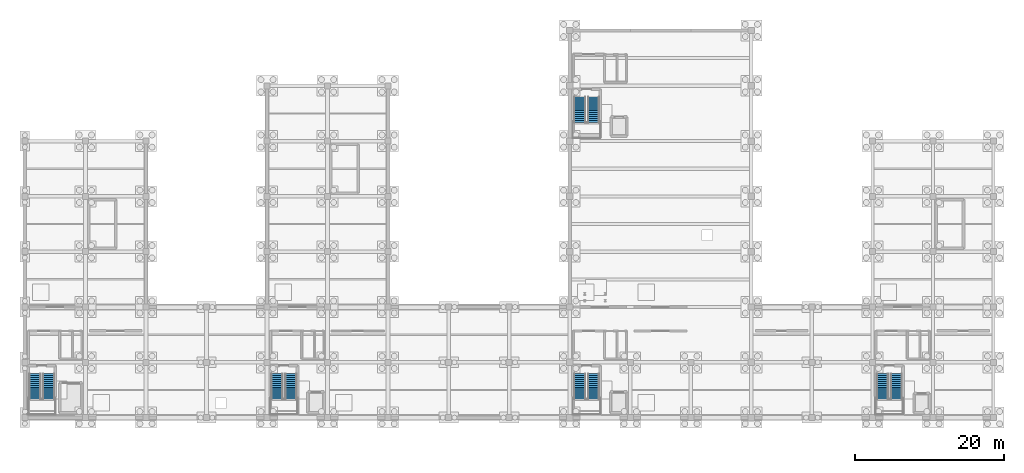
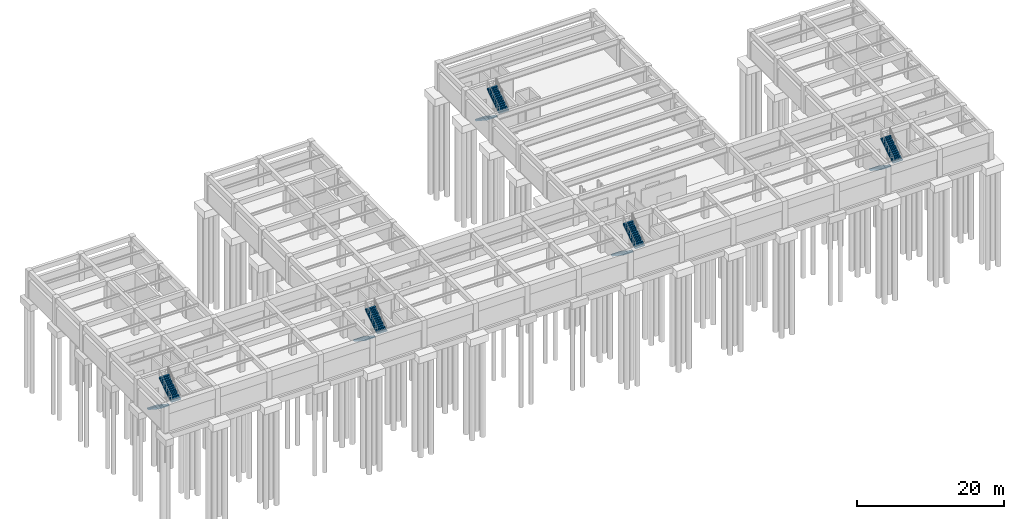
# One storey, part 11 of 14: 10 stair flights, 5 elements without a shape of their own.
"""IFC4 building model written with IfcOpenShell, lengths in metres."""

from ifc_helpers import new_model, si_unit, direction, frame, origin, place, context, subcontext, project, spatial, polyline, outline, extrude, material, type_object, element, aggregate, save


model = new_model("IFC4")

# Units and contexts
model_context = context("Model", 3, precision=1e-05, world=origin(), true_north=direction((0.0, 1.0)))
body_context = subcontext(model_context, "Body", "Model", "MODEL_VIEW")
ifc_project = project(units=[si_unit("LENGTHUNIT", "METRE"), si_unit("AREAUNIT", "SQUARE_METRE"), si_unit("VOLUMEUNIT", "CUBIC_METRE"), si_unit("PLANEANGLEUNIT", "RADIAN"), si_unit("MASSUNIT", "GRAM", prefix="KILO")], contexts=[model_context])

# Site, building, storey
site_placement = place(None, origin())
site = spatial("IfcSite", under=ifc_project, at=site_placement, CompositionType="ELEMENT")
building_placement = place(site_placement, origin())
building = spatial("IfcBuilding", under=site, at=building_placement, Name="Cimatlan Art Gallery", CompositionType="ELEMENT")
storey_placement = place(building_placement, frame((0.0, 0.0, -4.800048828125)))
storey = spatial("IfcBuildingStorey", under=building, at=storey_placement, Name="B1", CompositionType="ELEMENT", Elevation=-4.800048828125)

# Stair, stair flights
ifc_material = material(Name="Concrete C35/45", Category="concrete")
stair_type = type_object("IfcStairType", Name="STR-HALF-155-480", PredefinedType="HALF_TURN_STAIR", material=ifc_material)
stair_1_placement = place(storey_placement, origin())
stair_1 = element("IfcStair", 1, at=stair_1_placement, inside=storey, type_object=stair_type, Name="STR-C1-B1", PredefinedType="HALF_TURN_STAIR")
stair_flight_type = type_object("IfcStairFlightType", Name="STF-155-14R-260", PredefinedType="STRAIGHT", material=ifc_material)
stair_flight_1_placement = place(storey_placement, frame((3.3349609375, 29.780029296875, 0.0), z_axis=(0.0, 0.0, 1.0), x_axis=(0.0, -1.0, 0.0)))
stair_flight_1 = element("IfcStairFlight", 2, at=stair_flight_1_placement, type_object=stair_flight_type, Name="STR-C1-B1-F1", NumberOfRisers=14, NumberOfTreads=13, PredefinedType="STRAIGHT", RiserHeight=0.171429, TreadLength=0.26, context=body_context, shape_type="SweptSolid", body=[
    extrude(outline(polyline([(0.0, 0.0), (0.0, 0.17138671875), (0.260009765625, 0.17138671875), (0.260009765625, 0.3427734375), (0.52001953125, 0.3427734375), (0.52001953125, 0.514404296875), (0.780029296875, 0.514404296875), (0.780029296875, 0.685791015625), (1.0400390625, 0.685791015625), (1.0400390625, 0.857177734375), (1.300048828125, 0.857177734375), (1.300048828125, 1.028564453125), (1.56005859375, 1.028564453125), (1.56005859375, 1.199951171875), (1.820068359375, 1.199951171875), (1.820068359375, 1.371337890625), (2.080078125, 1.371337890625), (2.080078125, 1.54296875), (2.340087890625, 1.54296875), (2.340087890625, 1.71435546875), (2.60009765625, 1.71435546875), (2.60009765625, 1.8857421875), (2.860107421875, 1.8857421875), (2.860107421875, 2.05712890625), (3.1201171875, 2.05712890625), (3.1201171875, 2.228515625), (3.3798828125, 2.228515625), (3.3798828125, 2.39990234375), (3.3798828125, 2.012939453125), (0.326904296875, 0.0), (0.0, 0.0)])), frame((0.0, 0.77490234375, 0.0), z_axis=(0.0, -1.0, 0.0), x_axis=(1.0, 0.0, 0.0)), (0.0, 0.0, 1.0), 1.550048828125),
])
stair_flight_2_placement = place(storey_placement, frame((5.205078125, 26.39990234375, 2.400146484375), z_axis=(0.0, 0.0, 1.0), x_axis=(0.0, 1.0, 0.0)))
stair_flight_2 = element("IfcStairFlight", 3, at=stair_flight_2_placement, type_object=stair_flight_type, Name="STR-C1-B1-F2", NumberOfRisers=14, NumberOfTreads=13, PredefinedType="STRAIGHT", RiserHeight=0.171429, TreadLength=0.26, context=body_context, shape_type="SweptSolid", body=[
    extrude(outline(polyline([(0.0, 0.0), (0.0, 0.17138671875), (0.260009765625, 0.17138671875), (0.260009765625, 0.3427734375), (0.52001953125, 0.3427734375), (0.52001953125, 0.514404296875), (0.780029296875, 0.514404296875), (0.780029296875, 0.685791015625), (1.0400390625, 0.685791015625), (1.0400390625, 0.857177734375), (1.300048828125, 0.857177734375), (1.300048828125, 1.028564453125), (1.56005859375, 1.028564453125), (1.56005859375, 1.199951171875), (1.820068359375, 1.199951171875), (1.820068359375, 1.371337890625), (2.080078125, 1.371337890625), (2.080078125, 1.54296875), (2.340087890625, 1.54296875), (2.340087890625, 1.71435546875), (2.60009765625, 1.71435546875), (2.60009765625, 1.8857421875), (2.860107421875, 1.8857421875), (2.860107421875, 2.05712890625), (3.1201171875, 2.05712890625), (3.1201171875, 2.228515625), (3.3798828125, 2.228515625), (3.3798828125, 2.39990234375), (3.3798828125, 2.012939453125), (0.326904296875, 0.0), (0.0, 0.0)])), frame((0.0, 0.77490234375, 0.0), z_axis=(0.0, -1.0, 0.0), x_axis=(1.0, 0.0, 0.0)), (0.0, 0.0, 1.0), 1.550048828125),
])
aggregate(stair_1, [stair_flight_1, stair_flight_2])

stair_2_placement = place(storey_placement, origin())
stair_2 = element("IfcStair", 4, at=stair_2_placement, inside=storey, type_object=stair_type, Name="STR-C2-B1", PredefinedType="HALF_TURN_STAIR")
stair_flight_3_placement = place(storey_placement, frame((35.735107421875, 29.780029296875, 0.0), z_axis=(0.0, 0.0, 1.0), x_axis=(0.0, -1.0, 0.0)))
stair_flight_3 = element("IfcStairFlight", 5, at=stair_flight_3_placement, type_object=stair_flight_type, Name="STR-C2-B1-F1", NumberOfRisers=14, NumberOfTreads=13, PredefinedType="STRAIGHT", RiserHeight=0.171429, TreadLength=0.26, context=body_context, shape_type="SweptSolid", body=[
    extrude(outline(polyline([(0.0, 0.0), (0.0, 0.17138671875), (0.260009765625, 0.17138671875), (0.260009765625, 0.3427734375), (0.52001953125, 0.3427734375), (0.52001953125, 0.514404296875), (0.780029296875, 0.514404296875), (0.780029296875, 0.685791015625), (1.0400390625, 0.685791015625), (1.0400390625, 0.857177734375), (1.300048828125, 0.857177734375), (1.300048828125, 1.028564453125), (1.56005859375, 1.028564453125), (1.56005859375, 1.199951171875), (1.820068359375, 1.199951171875), (1.820068359375, 1.371337890625), (2.080078125, 1.371337890625), (2.080078125, 1.54296875), (2.340087890625, 1.54296875), (2.340087890625, 1.71435546875), (2.60009765625, 1.71435546875), (2.60009765625, 1.8857421875), (2.860107421875, 1.8857421875), (2.860107421875, 2.05712890625), (3.1201171875, 2.05712890625), (3.1201171875, 2.228515625), (3.3798828125, 2.228515625), (3.3798828125, 2.39990234375), (3.3798828125, 2.012939453125), (0.326904296875, 0.0), (0.0, 0.0)])), frame((0.0, 0.77490234375, 0.0), z_axis=(0.0, -1.0, 0.0), x_axis=(1.0, 0.0, 0.0)), (0.0, 0.0, 1.0), 1.550048828125),
])
stair_flight_4_placement = place(storey_placement, frame((37.60498046875, 26.39990234375, 2.400146484375), z_axis=(0.0, 0.0, 1.0), x_axis=(0.0, 1.0, 0.0)))
stair_flight_4 = element("IfcStairFlight", 6, at=stair_flight_4_placement, type_object=stair_flight_type, Name="STR-C2-B1-F2", NumberOfRisers=14, NumberOfTreads=13, PredefinedType="STRAIGHT", RiserHeight=0.171429, TreadLength=0.26, context=body_context, shape_type="SweptSolid", body=[
    extrude(outline(polyline([(0.0, 0.0), (0.0, 0.17138671875), (0.260009765625, 0.17138671875), (0.260009765625, 0.3427734375), (0.52001953125, 0.3427734375), (0.52001953125, 0.514404296875), (0.780029296875, 0.514404296875), (0.780029296875, 0.685791015625), (1.0400390625, 0.685791015625), (1.0400390625, 0.857177734375), (1.300048828125, 0.857177734375), (1.300048828125, 1.028564453125), (1.56005859375, 1.028564453125), (1.56005859375, 1.199951171875), (1.820068359375, 1.199951171875), (1.820068359375, 1.371337890625), (2.080078125, 1.371337890625), (2.080078125, 1.54296875), (2.340087890625, 1.54296875), (2.340087890625, 1.71435546875), (2.60009765625, 1.71435546875), (2.60009765625, 1.8857421875), (2.860107421875, 1.8857421875), (2.860107421875, 2.05712890625), (3.1201171875, 2.05712890625), (3.1201171875, 2.228515625), (3.3798828125, 2.228515625), (3.3798828125, 2.39990234375), (3.3798828125, 2.012939453125), (0.326904296875, 0.0), (0.0, 0.0)])), frame((0.0, 0.77490234375, 0.0), z_axis=(0.0, -1.0, 0.0), x_axis=(1.0, 0.0, 0.0)), (0.0, 0.0, 1.0), 1.550048828125),
])
aggregate(stair_2, [stair_flight_3, stair_flight_4])

stair_3_placement = place(storey_placement, origin())
stair_3 = element("IfcStair", 7, at=stair_3_placement, inside=storey, type_object=stair_type, Name="STR-C3-B1", PredefinedType="HALF_TURN_STAIR")
stair_flight_5_placement = place(storey_placement, frame((76.235107421875, 29.780029296875, 0.0), z_axis=(0.0, 0.0, 1.0), x_axis=(0.0, -1.0, 0.0)))
stair_flight_5 = element("IfcStairFlight", 8, at=stair_flight_5_placement, type_object=stair_flight_type, Name="STR-C3-B1-F1", NumberOfRisers=14, NumberOfTreads=13, PredefinedType="STRAIGHT", RiserHeight=0.171429, TreadLength=0.26, context=body_context, shape_type="SweptSolid", body=[
    extrude(outline(polyline([(0.0, 0.0), (0.0, 0.17138671875), (0.260009765625, 0.17138671875), (0.260009765625, 0.3427734375), (0.52001953125, 0.3427734375), (0.52001953125, 0.514404296875), (0.780029296875, 0.514404296875), (0.780029296875, 0.685791015625), (1.0400390625, 0.685791015625), (1.0400390625, 0.857177734375), (1.300048828125, 0.857177734375), (1.300048828125, 1.028564453125), (1.56005859375, 1.028564453125), (1.56005859375, 1.199951171875), (1.820068359375, 1.199951171875), (1.820068359375, 1.371337890625), (2.080078125, 1.371337890625), (2.080078125, 1.54296875), (2.340087890625, 1.54296875), (2.340087890625, 1.71435546875), (2.60009765625, 1.71435546875), (2.60009765625, 1.8857421875), (2.860107421875, 1.8857421875), (2.860107421875, 2.05712890625), (3.1201171875, 2.05712890625), (3.1201171875, 2.228515625), (3.3798828125, 2.228515625), (3.3798828125, 2.39990234375), (3.3798828125, 2.012939453125), (0.326904296875, 0.0), (0.0, 0.0)])), frame((0.0, 0.77490234375, 0.0), z_axis=(0.0, -1.0, 0.0), x_axis=(1.0, 0.0, 0.0)), (0.0, 0.0, 1.0), 1.550048828125),
])
stair_flight_6_placement = place(storey_placement, frame((78.10498046875, 26.39990234375, 2.400146484375), z_axis=(0.0, 0.0, 1.0), x_axis=(0.0, 1.0, 0.0)))
stair_flight_6 = element("IfcStairFlight", 9, at=stair_flight_6_placement, type_object=stair_flight_type, Name="STR-C3-B1-F2", NumberOfRisers=14, NumberOfTreads=13, PredefinedType="STRAIGHT", RiserHeight=0.171429, TreadLength=0.26, context=body_context, shape_type="SweptSolid", body=[
    extrude(outline(polyline([(0.0, 0.0), (0.0, 0.17138671875), (0.260009765625, 0.17138671875), (0.260009765625, 0.3427734375), (0.52001953125, 0.3427734375), (0.52001953125, 0.514404296875), (0.780029296875, 0.514404296875), (0.780029296875, 0.685791015625), (1.0400390625, 0.685791015625), (1.0400390625, 0.857177734375), (1.300048828125, 0.857177734375), (1.300048828125, 1.028564453125), (1.56005859375, 1.028564453125), (1.56005859375, 1.199951171875), (1.820068359375, 1.199951171875), (1.820068359375, 1.371337890625), (2.080078125, 1.371337890625), (2.080078125, 1.54296875), (2.340087890625, 1.54296875), (2.340087890625, 1.71435546875), (2.60009765625, 1.71435546875), (2.60009765625, 1.8857421875), (2.860107421875, 1.8857421875), (2.860107421875, 2.05712890625), (3.1201171875, 2.05712890625), (3.1201171875, 2.228515625), (3.3798828125, 2.228515625), (3.3798828125, 2.39990234375), (3.3798828125, 2.012939453125), (0.326904296875, 0.0), (0.0, 0.0)])), frame((0.0, 0.77490234375, 0.0), z_axis=(0.0, -1.0, 0.0), x_axis=(1.0, 0.0, 0.0)), (0.0, 0.0, 1.0), 1.550048828125),
])
aggregate(stair_3, [stair_flight_5, stair_flight_6])

stair_4_placement = place(storey_placement, origin())
stair_4 = element("IfcStair", 10, at=stair_4_placement, inside=storey, type_object=stair_type, Name="STR-C4-B1", PredefinedType="HALF_TURN_STAIR")
stair_flight_7_placement = place(storey_placement, frame((116.735107421875, 29.780029296875, 0.0), z_axis=(0.0, 0.0, 1.0), x_axis=(0.0, -1.0, 0.0)))
stair_flight_7 = element("IfcStairFlight", 11, at=stair_flight_7_placement, type_object=stair_flight_type, Name="STR-C4-B1-F1", NumberOfRisers=14, NumberOfTreads=13, PredefinedType="STRAIGHT", RiserHeight=0.171429, TreadLength=0.26, context=body_context, shape_type="SweptSolid", body=[
    extrude(outline(polyline([(0.0, 0.0), (0.0, 0.17138671875), (0.260009765625, 0.17138671875), (0.260009765625, 0.3427734375), (0.52001953125, 0.3427734375), (0.52001953125, 0.514404296875), (0.780029296875, 0.514404296875), (0.780029296875, 0.685791015625), (1.0400390625, 0.685791015625), (1.0400390625, 0.857177734375), (1.300048828125, 0.857177734375), (1.300048828125, 1.028564453125), (1.56005859375, 1.028564453125), (1.56005859375, 1.199951171875), (1.820068359375, 1.199951171875), (1.820068359375, 1.371337890625), (2.080078125, 1.371337890625), (2.080078125, 1.54296875), (2.340087890625, 1.54296875), (2.340087890625, 1.71435546875), (2.60009765625, 1.71435546875), (2.60009765625, 1.8857421875), (2.860107421875, 1.8857421875), (2.860107421875, 2.05712890625), (3.1201171875, 2.05712890625), (3.1201171875, 2.228515625), (3.3798828125, 2.228515625), (3.3798828125, 2.39990234375), (3.3798828125, 2.012939453125), (0.326904296875, 0.0), (0.0, 0.0)])), frame((0.0, 0.77490234375, 0.0), z_axis=(0.0, -1.0, 0.0), x_axis=(1.0, 0.0, 0.0)), (0.0, 0.0, 1.0), 1.550048828125),
])
stair_flight_8_placement = place(storey_placement, frame((118.60498046875, 26.39990234375, 2.400146484375), z_axis=(0.0, 0.0, 1.0), x_axis=(0.0, 1.0, 0.0)))
stair_flight_8 = element("IfcStairFlight", 12, at=stair_flight_8_placement, type_object=stair_flight_type, Name="STR-C4-B1-F2", NumberOfRisers=14, NumberOfTreads=13, PredefinedType="STRAIGHT", RiserHeight=0.171429, TreadLength=0.26, context=body_context, shape_type="SweptSolid", body=[
    extrude(outline(polyline([(0.0, 0.0), (0.0, 0.17138671875), (0.260009765625, 0.17138671875), (0.260009765625, 0.3427734375), (0.52001953125, 0.3427734375), (0.52001953125, 0.514404296875), (0.780029296875, 0.514404296875), (0.780029296875, 0.685791015625), (1.0400390625, 0.685791015625), (1.0400390625, 0.857177734375), (1.300048828125, 0.857177734375), (1.300048828125, 1.028564453125), (1.56005859375, 1.028564453125), (1.56005859375, 1.199951171875), (1.820068359375, 1.199951171875), (1.820068359375, 1.371337890625), (2.080078125, 1.371337890625), (2.080078125, 1.54296875), (2.340087890625, 1.54296875), (2.340087890625, 1.71435546875), (2.60009765625, 1.71435546875), (2.60009765625, 1.8857421875), (2.860107421875, 1.8857421875), (2.860107421875, 2.05712890625), (3.1201171875, 2.05712890625), (3.1201171875, 2.228515625), (3.3798828125, 2.228515625), (3.3798828125, 2.39990234375), (3.3798828125, 2.012939453125), (0.326904296875, 0.0), (0.0, 0.0)])), frame((0.0, 0.77490234375, 0.0), z_axis=(0.0, -1.0, 0.0), x_axis=(1.0, 0.0, 0.0)), (0.0, 0.0, 1.0), 1.550048828125),
])
aggregate(stair_4, [stair_flight_7, stair_flight_8])

stair_5_placement = place(storey_placement, origin())
stair_5 = element("IfcStair", 13, at=stair_5_placement, inside=storey, type_object=stair_type, Name="STR-C6-B1", PredefinedType="HALF_TURN_STAIR")
stair_flight_9_placement = place(storey_placement, frame((76.235107421875, 66.780029296875, 0.0), z_axis=(0.0, 0.0, 1.0), x_axis=(0.0, -1.0, 0.0)))
stair_flight_9 = element("IfcStairFlight", 14, at=stair_flight_9_placement, type_object=stair_flight_type, Name="STR-C6-B1-F1", NumberOfRisers=14, NumberOfTreads=13, PredefinedType="STRAIGHT", RiserHeight=0.171429, TreadLength=0.26, context=body_context, shape_type="SweptSolid", body=[
    extrude(outline(polyline([(0.0, 0.0), (0.0, 0.17138671875), (0.260009765625, 0.17138671875), (0.260009765625, 0.3427734375), (0.52001953125, 0.3427734375), (0.52001953125, 0.514404296875), (0.780029296875, 0.514404296875), (0.780029296875, 0.685791015625), (1.0400390625, 0.685791015625), (1.0400390625, 0.857177734375), (1.300048828125, 0.857177734375), (1.300048828125, 1.028564453125), (1.56005859375, 1.028564453125), (1.56005859375, 1.199951171875), (1.820068359375, 1.199951171875), (1.820068359375, 1.371337890625), (2.080078125, 1.371337890625), (2.080078125, 1.54296875), (2.340087890625, 1.54296875), (2.340087890625, 1.71435546875), (2.60009765625, 1.71435546875), (2.60009765625, 1.8857421875), (2.860107421875, 1.8857421875), (2.860107421875, 2.05712890625), (3.1201171875, 2.05712890625), (3.1201171875, 2.228515625), (3.3798828125, 2.228515625), (3.3798828125, 2.39990234375), (3.3798828125, 2.012939453125), (0.326904296875, 0.0), (0.0, 0.0)])), frame((0.0, 0.77490234375, 0.0), z_axis=(0.0, -1.0, 0.0), x_axis=(1.0, 0.0, 0.0)), (0.0, 0.0, 1.0), 1.550048828125),
])
stair_flight_10_placement = place(storey_placement, frame((78.10498046875, 63.39990234375, 2.400146484375), z_axis=(0.0, 0.0, 1.0), x_axis=(0.0, 1.0, 0.0)))
stair_flight_10 = element("IfcStairFlight", 15, at=stair_flight_10_placement, type_object=stair_flight_type, Name="STR-C6-B1-F2", NumberOfRisers=14, NumberOfTreads=13, PredefinedType="STRAIGHT", RiserHeight=0.171429, TreadLength=0.26, context=body_context, shape_type="SweptSolid", body=[
    extrude(outline(polyline([(0.0, 0.0), (0.0, 0.17138671875), (0.260009765625, 0.17138671875), (0.260009765625, 0.3427734375), (0.52001953125, 0.3427734375), (0.52001953125, 0.514404296875), (0.780029296875, 0.514404296875), (0.780029296875, 0.685791015625), (1.0400390625, 0.685791015625), (1.0400390625, 0.857177734375), (1.300048828125, 0.857177734375), (1.300048828125, 1.028564453125), (1.56005859375, 1.028564453125), (1.56005859375, 1.199951171875), (1.820068359375, 1.199951171875), (1.820068359375, 1.371337890625), (2.080078125, 1.371337890625), (2.080078125, 1.54296875), (2.340087890625, 1.54296875), (2.340087890625, 1.71435546875), (2.60009765625, 1.71435546875), (2.60009765625, 1.8857421875), (2.860107421875, 1.8857421875), (2.860107421875, 2.05712890625), (3.1201171875, 2.05712890625), (3.1201171875, 2.228515625), (3.3798828125, 2.228515625), (3.3798828125, 2.39990234375), (3.3798828125, 2.012939453125), (0.326904296875, 0.0), (0.0, 0.0)])), frame((0.0, 0.77490234375, 0.0), z_axis=(0.0, -1.0, 0.0), x_axis=(1.0, 0.0, 0.0)), (0.0, 0.0, 1.0), 1.550048828125),
])
aggregate(stair_5, [stair_flight_9, stair_flight_10])

save(model, "model.ifc")
